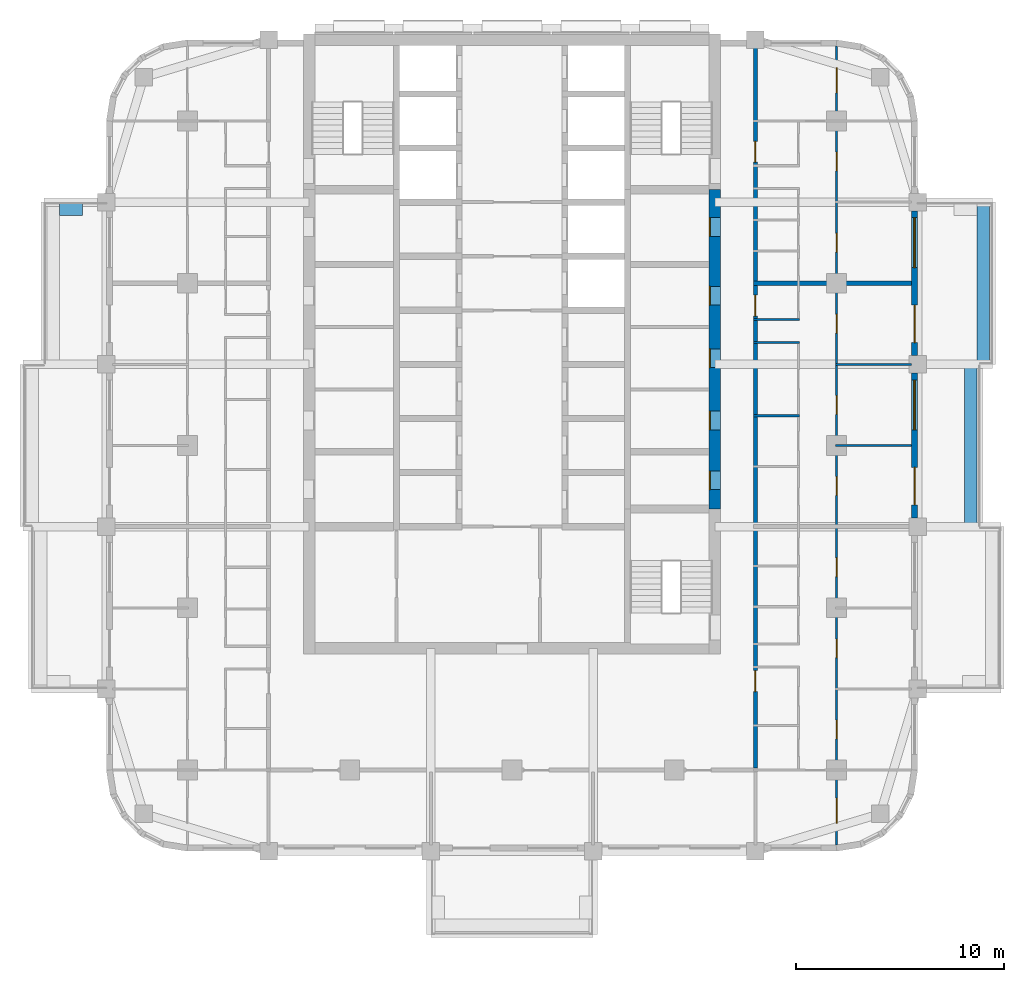
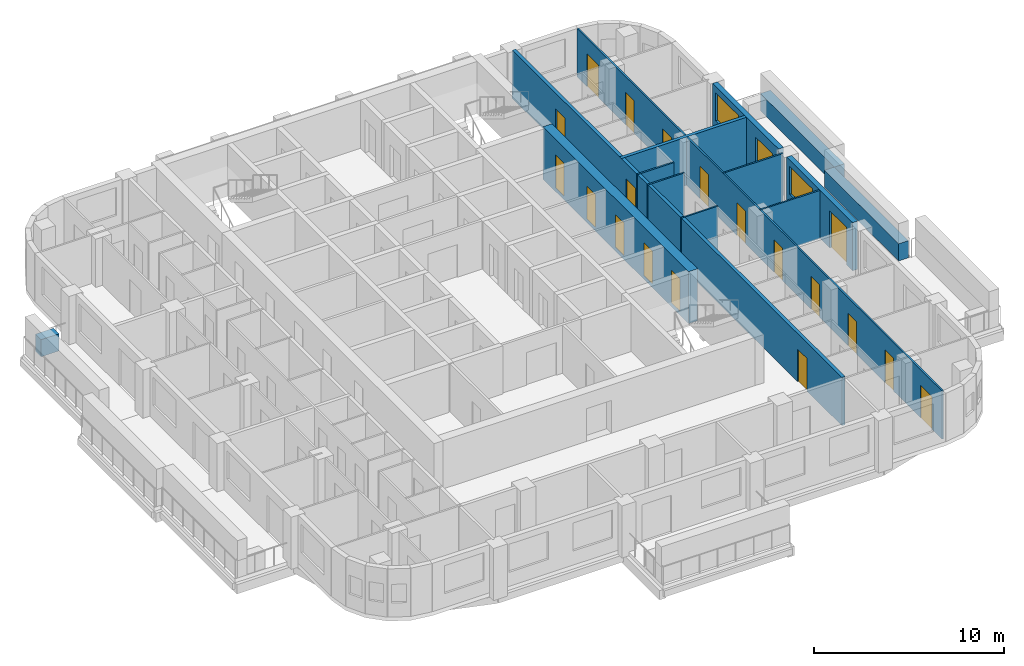
# One storey, part 7 of 14: 20 doors, 14 walls, 2 windows, 22 openings.
"""IFC4 building model written with IfcOpenShell, lengths in metres."""

from ifc_helpers import new_model, si_unit, direction, frame, frame_2d, origin, place, context, subcontext, project, spatial, rectangle, extrude, material, layer, layer_set, type_object, element, fill, save


model = new_model("IFC4")

# Units and contexts
model_context = context("Model", 3, precision=1e-05, world=origin(), true_north=direction((0.0, 1.0)))
body_context = subcontext(model_context, "Body", "Model", "MODEL_VIEW")
ifc_project = project(units=[si_unit("LENGTHUNIT", "METRE"), si_unit("AREAUNIT", "SQUARE_METRE"), si_unit("VOLUMEUNIT", "CUBIC_METRE"), si_unit("PLANEANGLEUNIT", "RADIAN"), si_unit("MASSUNIT", "GRAM", prefix="KILO")], contexts=[model_context])

# Site, building, storey
site_placement = place(None, origin())
site = spatial("IfcSite", under=ifc_project, at=site_placement, CompositionType="ELEMENT")
building_placement = place(site_placement, origin())
building = spatial("IfcBuilding", under=site, at=building_placement, Name="Ludao Terraces", CompositionType="ELEMENT")
storey_placement = place(building_placement, frame((0.0, 0.0, 140.699951171875)))
storey = spatial("IfcBuildingStorey", under=building, at=storey_placement, Name="L38", CompositionType="ELEMENT", Elevation=140.699951171875)

# Wall, openings, doors
ifc_material_1 = material(Name="Concrete C60", Category="concrete")
ifc_layer_1 = layer(ifc_material_1, 0.550048828125)
ifc_layer_set_1 = layer_set([ifc_layer_1], Name="Core wall 550 C60")
wall_type_1 = type_object("IfcWallType", Name="Core wall 550 C60", PredefinedType="SOLIDWALL", material=ifc_layer_set_1)
wall_1_placement = place(storey_placement, frame((94.75, 61.949951171875, -0.25), z_axis=(0.0, 0.0, 1.0), x_axis=(0.0, 1.0, 0.0)))
wall_1 = element("IfcWall", 1, at=wall_1_placement, inside=storey, type_object=wall_type_1, Name="Core wall L38 outer-E", PredefinedType="SOLIDWALL", context=body_context, shape_type="SweptSolid", body=[
    extrude(rectangle(XDim=15.35009765625, YDim=0.550048828125, at=frame_2d((7.675048828125, 0.0))), origin(), (0.0, 0.0, 1.0), 3.35009765625),
])
opening_1_placement = place(wall_1_placement, frame((0.925048828125, 0.0, 0.25)))
opening_1 = element("IfcOpeningElement", 2, at=opening_1_placement, cuts=wall_1, Name="Opening R13-038", PredefinedType="OPENING", context=body_context, shape_type="SweptSolid", body=[
    extrude(rectangle(XDim=0.89990234375, YDim=2.10009765625, at=frame_2d((0.449951171875, 1.050048828125))), frame((0.0, 0.28515625, 0.0), z_axis=(0.0, -1.0, 0.0), x_axis=(1.0, 0.0, 0.0)), (0.0, 0.0, 1.0), 0.570068359375),
])
opening_2_placement = place(wall_1_placement, frame((3.800048828125, 0.0, 0.25)))
opening_2 = element("IfcOpeningElement", 3, at=opening_2_placement, cuts=wall_1, Name="Opening R13-044", PredefinedType="OPENING", context=body_context, shape_type="SweptSolid", body=[
    extrude(rectangle(XDim=0.89990234375, YDim=2.10009765625, at=frame_2d((0.449951171875, 1.050048828125))), frame((0.0, 0.28515625, 0.0), z_axis=(0.0, -1.0, 0.0), x_axis=(1.0, 0.0, 0.0)), (0.0, 0.0, 1.0), 0.570068359375),
])
opening_3_placement = place(wall_1_placement, frame((6.800048828125, 0.0, 0.25)))
opening_3 = element("IfcOpeningElement", 4, at=opening_3_placement, cuts=wall_1, Name="Opening R13-052", PredefinedType="OPENING", context=body_context, shape_type="SweptSolid", body=[
    extrude(rectangle(XDim=0.89990234375, YDim=2.10009765625, at=frame_2d((0.449951171875, 1.050048828125))), frame((0.0, 0.28515625, 0.0), z_axis=(0.0, -1.0, 0.0), x_axis=(1.0, 0.0, 0.0)), (0.0, 0.0, 1.0), 0.570068359375),
])
opening_4_placement = place(wall_1_placement, frame((9.800048828125, 0.0, 0.25)))
opening_4 = element("IfcOpeningElement", 5, at=opening_4_placement, cuts=wall_1, Name="Opening R13-063", PredefinedType="OPENING", context=body_context, shape_type="SweptSolid", body=[
    extrude(rectangle(XDim=0.89990234375, YDim=2.10009765625, at=frame_2d((0.449951171875, 1.050048828125))), frame((0.0, 0.28515625, 0.0), z_axis=(0.0, -1.0, 0.0), x_axis=(1.0, 0.0, 0.0)), (0.0, 0.0, 1.0), 0.570068359375),
])
opening_5_placement = place(wall_1_placement, frame((13.10009765625, 0.0, 0.25)))
opening_5 = element("IfcOpeningElement", 6, at=opening_5_placement, cuts=wall_1, Name="Opening R13-074", PredefinedType="OPENING", context=body_context, shape_type="SweptSolid", body=[
    extrude(rectangle(XDim=0.89990234375, YDim=2.10009765625, at=frame_2d((0.449951171875, 1.050048828125))), frame((0.0, 0.28515625, 0.0), z_axis=(0.0, -1.0, 0.0), x_axis=(1.0, 0.0, 0.0)), (0.0, 0.0, 1.0), 0.570068359375),
])
ifc_material_2 = material(Name="Steel Q235", Category="steel")
door_type_1 = type_object("IfcDoorType", Name="INT Riser door 900", OperationType="SINGLE_SWING_LEFT", PredefinedType="DOOR", material=ifc_material_2)
door_1_placement = place(opening_1_placement, origin())
door_1 = element("IfcDoor", 7, at=door_1_placement, inside=storey, type_object=door_type_1, Name="DOOR 038", OperationType="SINGLE_SWING_LEFT", OverallHeight=2.10009765625, OverallWidth=0.89990234375, PredefinedType="DOOR", context=body_context, shape_type="SweptSolid", body=[
    extrude(rectangle(XDim=0.89990234375, YDim=2.10009765625, at=frame_2d((0.449951171875, 1.050048828125))), frame((0.0, 0.26025390625, 0.0), z_axis=(0.0, -1.0, 0.0), x_axis=(1.0, 0.0, 0.0)), (0.0, 0.0, 1.0), 0.050048828125),
])
fill(opening_1, door_1)
door_2_placement = place(opening_5_placement, origin())
door_2 = element("IfcDoor", 8, at=door_2_placement, inside=storey, type_object=door_type_1, Name="DOOR 074", OperationType="SINGLE_SWING_LEFT", OverallHeight=2.10009765625, OverallWidth=0.89990234375, PredefinedType="DOOR", context=body_context, shape_type="SweptSolid", body=[
    extrude(rectangle(XDim=0.89990234375, YDim=2.10009765625, at=frame_2d((0.449951171875, 1.050048828125))), frame((0.0, 0.26025390625, 0.0), z_axis=(0.0, -1.0, 0.0), x_axis=(1.0, 0.0, 0.0)), (0.0, 0.0, 1.0), 0.050048828125),
])
fill(opening_5, door_2)
ifc_material_3 = material(Name="Timber door leaf", Category="wood")
door_type_2 = type_object("IfcDoorType", Name="INT Room door 900", OperationType="SINGLE_SWING_LEFT", PredefinedType="DOOR", material=ifc_material_3)
door_3_placement = place(opening_2_placement, origin())
door_3 = element("IfcDoor", 9, at=door_3_placement, inside=storey, type_object=door_type_2, Name="DOOR 044", OperationType="SINGLE_SWING_LEFT", OverallHeight=2.10009765625, OverallWidth=0.89990234375, PredefinedType="DOOR", context=body_context, shape_type="SweptSolid", body=[
    extrude(rectangle(XDim=0.89990234375, YDim=2.10009765625, at=frame_2d((0.449951171875, 1.050048828125))), frame((0.0, 0.26025390625, 0.0), z_axis=(0.0, -1.0, 0.0), x_axis=(1.0, 0.0, 0.0)), (0.0, 0.0, 1.0), 0.050048828125),
])
fill(opening_2, door_3)
door_4_placement = place(opening_3_placement, origin())
door_4 = element("IfcDoor", 10, at=door_4_placement, inside=storey, type_object=door_type_2, Name="DOOR 052", OperationType="SINGLE_SWING_LEFT", OverallHeight=2.10009765625, OverallWidth=0.89990234375, PredefinedType="DOOR", context=body_context, shape_type="SweptSolid", body=[
    extrude(rectangle(XDim=0.89990234375, YDim=2.10009765625, at=frame_2d((0.449951171875, 1.050048828125))), frame((0.0, 0.26025390625, 0.0), z_axis=(0.0, -1.0, 0.0), x_axis=(1.0, 0.0, 0.0)), (0.0, 0.0, 1.0), 0.050048828125),
])
fill(opening_3, door_4)
door_5_placement = place(opening_4_placement, origin())
door_5 = element("IfcDoor", 11, at=door_5_placement, inside=storey, type_object=door_type_2, Name="DOOR 063", OperationType="SINGLE_SWING_RIGHT", OverallHeight=2.10009765625, OverallWidth=0.89990234375, PredefinedType="DOOR", context=body_context, shape_type="SweptSolid", body=[
    extrude(rectangle(XDim=0.89990234375, YDim=2.10009765625, at=frame_2d((0.449951171875, 1.050048828125))), frame((0.0, 0.26025390625, 0.0), z_axis=(0.0, -1.0, 0.0), x_axis=(1.0, 0.0, 0.0)), (0.0, 0.0, 1.0), 0.050048828125),
])
fill(opening_4, door_5)

# Walls
ifc_material_4 = material(Name="Concrete C40", Category="concrete")
ifc_layer_2 = layer(ifc_material_4, 0.60009765625)
ifc_layer_set_2 = layer_set([ifc_layer_2], Name="ENV Planter trough 600")
wall_type_2 = type_object("IfcWallType", Name="ENV Planter trough 600", PredefinedType="USERDEFINED", material=ifc_layer_set_2)
wall_2_placement = place(storey_placement, frame((107.050048828125, 61.10009765625, 0.0), z_axis=(0.0, 0.0, 1.0), x_axis=(0.0, 1.0, 0.0)))
element("IfcWall", 12, at=wall_2_placement, inside=storey, type_object=wall_type_2, Name="PL-L38-E2", ObjectType="PLANTER", PredefinedType="USERDEFINED", context=body_context, shape_type="SweptSolid", body=[
    extrude(rectangle(XDim=7.7998046875, YDim=0.60009765625, at=frame_2d((3.89990234375, 0.0))), origin(), (0.0, 0.0, 1.0), 1.10009765625),
])
wall_3_placement = place(storey_placement, frame((107.64990234375, 68.89990234375, 0.0), z_axis=(0.0, 0.0, 1.0), x_axis=(0.0, 1.0, 0.0)))
element("IfcWall", 13, at=wall_3_placement, inside=storey, type_object=wall_type_2, Name="PL-L38-E3", ObjectType="PLANTER", PredefinedType="USERDEFINED", context=body_context, shape_type="SweptSolid", body=[
    extrude(rectangle(XDim=7.800048828125, YDim=0.60009765625, at=frame_2d((3.89990234375, 0.0))), origin(), (0.0, 0.0, 1.0), 1.10009765625),
])
wall_4_placement = place(storey_placement, frame((63.25, 76.35009765625, 0.0), z_axis=(0.0, 0.0, 1.0), x_axis=(1.0, 0.0, 0.0)))
element("IfcWall", 14, at=wall_4_placement, inside=storey, type_object=wall_type_2, Name="PL-L38-W3-SB", ObjectType="PLANTER", PredefinedType="USERDEFINED", context=body_context, shape_type="SweptSolid", body=[
    extrude(rectangle(XDim=1.10009765625, YDim=0.60009765625, at=frame_2d((0.550048828125, 0.0))), origin(), (0.0, 0.0, 1.0), 1.10009765625),
])

# Wall, openings, door, window
ifc_material_5 = material(Name="Granite cladding", Category="masonry")
ifc_layer_3 = layer(ifc_material_5, 0.0400390625, Category="stone")
ifc_material_6 = material(Name="Mineral wool")
ifc_layer_4 = layer(ifc_material_6, 0.06005859375)
ifc_layer_5 = layer(ifc_material_4, 0.199951171875, Category="concrete")
ifc_layer_set_3 = layer_set([ifc_layer_3, ifc_layer_4, ifc_layer_5], Name="ENV Stone-clad wall 300")
wall_type_3 = type_object("IfcWallType", Name="ENV Stone-clad wall 300", PredefinedType="SOLIDWALL", material=ifc_layer_set_3)
wall_5_placement = place(storey_placement, frame((104.35009765625, 61.52490234375, 0.0), z_axis=(0.0, 0.0, 1.0), x_axis=(0.0, 1.0, 0.0)))
wall_5 = element("IfcWall", 15, at=wall_5_placement, inside=storey, type_object=wall_type_3, Name="EW-L38-E3", PredefinedType="SOLIDWALL", context=body_context, shape_type="SweptSolid", body=[
    extrude(rectangle(XDim=6.9501953125, YDim=0.300048828125, at=frame_2d((3.47509765625, 0.0))), origin(), (0.0, 0.0, 1.0), 3.10009765625),
])
opening_6_placement = place(wall_5_placement, frame((0.625, 0.0, 0.0)))
opening_6 = element("IfcOpeningElement", 16, at=opening_6_placement, cuts=wall_5, Name="Opening BD", PredefinedType="OPENING", context=body_context, shape_type="SweptSolid", body=[
    extrude(rectangle(XDim=1.800048828125, YDim=2.39990234375, at=frame_2d((0.89990234375, 1.199951171875))), frame((0.0, 0.16015625, 0.0), z_axis=(0.0, -1.0, 0.0), x_axis=(1.0, 0.0, 0.0)), (0.0, 0.0, 1.0), 0.320068359375),
])
opening_7_placement = place(wall_5_placement, frame((4.22509765625, 0.0, 0.89990234375)))
opening_7 = element("IfcOpeningElement", 17, at=opening_7_placement, cuts=wall_5, Name="Opening W1", PredefinedType="OPENING", context=body_context, shape_type="SweptSolid", body=[
    extrude(rectangle(XDim=2.39990234375, YDim=1.800048828125, at=frame_2d((1.199951171875, 0.89990234375))), frame((0.0, 0.16015625, 0.0), z_axis=(0.0, -1.0, 0.0), x_axis=(1.0, 0.0, 0.0)), (0.0, 0.0, 1.0), 0.320068359375),
])
ifc_material_7 = material(Name="Aluminium glazed door", Category="aluminium")
ifc_layer_6 = layer(ifc_material_7, 0.06005859375)
ifc_layer_set_4 = layer_set([ifc_layer_6], Name="ENV Balcony door BD 1800x2400")
door_type_3 = type_object("IfcDoorType", Name="ENV Balcony door BD 1800x2400", OperationType="DOUBLE_DOOR_SINGLE_SWING", PredefinedType="DOOR", material=ifc_layer_set_4)
door_6_placement = place(opening_6_placement, origin())
door_6 = element("IfcDoor", 18, at=door_6_placement, inside=storey, type_object=door_type_3, Name="BD-L38-E3-1", OperationType="DOUBLE_DOOR_SINGLE_SWING", OverallHeight=2.39990234375, OverallWidth=1.800048828125, PredefinedType="DOOR", context=body_context, shape_type="SweptSolid", body=[
    extrude(rectangle(XDim=1.800048828125, YDim=2.39990234375, at=frame_2d((0.89990234375, 1.199951171875))), frame((0.0, 0.02490234375, 0.0), z_axis=(0.0, -1.0, 0.0), x_axis=(1.0, 0.0, 0.0)), (0.0, 0.0, 1.0), 0.050048828125),
])
fill(opening_6, door_6)
ifc_material_8 = material(Name="Clear glass in aluminium frame", Category="aluminium")
ifc_layer_7 = layer(ifc_material_8, 0.06005859375)
ifc_layer_set_5 = layer_set([ifc_layer_7], Name="ENV Window W1 2400x1800")
window_type = type_object("IfcWindowType", Name="ENV Window W1 2400x1800", PartitioningType="DOUBLE_PANEL_VERTICAL", PredefinedType="WINDOW", material=ifc_layer_set_5)
window_1_placement = place(opening_7_placement, origin())
window_1 = element("IfcWindow", 19, at=window_1_placement, inside=storey, type_object=window_type, Name="W-L38-E3-2", OverallHeight=1.800048828125, OverallWidth=2.39990234375, PartitioningType="DOUBLE_PANEL_VERTICAL", PredefinedType="WINDOW", context=body_context, shape_type="SweptSolid", body=[
    extrude(rectangle(XDim=2.39990234375, YDim=1.800048828125, at=frame_2d((1.199951171875, 0.89990234375))), frame((0.0, 0.030029296875, 0.0), z_axis=(0.0, -1.0, 0.0), x_axis=(1.0, 0.0, 0.0)), (0.0, 0.0, 1.0), 0.06005859375),
])
fill(opening_7, window_1)

wall_6_placement = place(storey_placement, frame((104.35009765625, 69.324951171875, 0.0), z_axis=(0.0, 0.0, 1.0), x_axis=(0.0, 1.0, 0.0)))
wall_6 = element("IfcWall", 20, at=wall_6_placement, inside=storey, type_object=wall_type_3, Name="EW-L38-E4", PredefinedType="SOLIDWALL", context=body_context, shape_type="SweptSolid", body=[
    extrude(rectangle(XDim=6.949951171875, YDim=0.300048828125, at=frame_2d((3.47509765625, 0.0))), origin(), (0.0, 0.0, 1.0), 3.10009765625),
])
opening_8_placement = place(wall_6_placement, frame((0.625, 0.0, 0.0)))
opening_8 = element("IfcOpeningElement", 21, at=opening_8_placement, cuts=wall_6, Name="Opening BD", PredefinedType="OPENING", context=body_context, shape_type="SweptSolid", body=[
    extrude(rectangle(XDim=1.800048828125, YDim=2.39990234375, at=frame_2d((0.89990234375, 1.199951171875))), frame((0.0, 0.16015625, 0.0), z_axis=(0.0, -1.0, 0.0), x_axis=(1.0, 0.0, 0.0)), (0.0, 0.0, 1.0), 0.320068359375),
])
opening_9_placement = place(wall_6_placement, frame((4.22509765625, 0.0, 0.89990234375)))
opening_9 = element("IfcOpeningElement", 22, at=opening_9_placement, cuts=wall_6, Name="Opening W1", PredefinedType="OPENING", context=body_context, shape_type="SweptSolid", body=[
    extrude(rectangle(XDim=2.39990234375, YDim=1.800048828125, at=frame_2d((1.199951171875, 0.89990234375))), frame((0.0, 0.16015625, 0.0), z_axis=(0.0, -1.0, 0.0), x_axis=(1.0, 0.0, 0.0)), (0.0, 0.0, 1.0), 0.320068359375),
])
door_7_placement = place(opening_8_placement, origin())
door_7 = element("IfcDoor", 23, at=door_7_placement, inside=storey, type_object=door_type_3, Name="BD-L38-E4-1", OperationType="DOUBLE_DOOR_SINGLE_SWING", OverallHeight=2.39990234375, OverallWidth=1.800048828125, PredefinedType="DOOR", context=body_context, shape_type="SweptSolid", body=[
    extrude(rectangle(XDim=1.800048828125, YDim=2.39990234375, at=frame_2d((0.89990234375, 1.199951171875))), frame((0.0, 0.02490234375, 0.0), z_axis=(0.0, -1.0, 0.0), x_axis=(1.0, 0.0, 0.0)), (0.0, 0.0, 1.0), 0.050048828125),
])
fill(opening_8, door_7)
window_2_placement = place(opening_9_placement, origin())
window_2 = element("IfcWindow", 24, at=window_2_placement, inside=storey, type_object=window_type, Name="W-L38-E4-2", OverallHeight=1.800048828125, OverallWidth=2.39990234375, PartitioningType="DOUBLE_PANEL_VERTICAL", PredefinedType="WINDOW", context=body_context, shape_type="SweptSolid", body=[
    extrude(rectangle(XDim=2.39990234375, YDim=1.800048828125, at=frame_2d((1.199951171875, 0.89990234375))), frame((0.0, 0.030029296875, 0.0), z_axis=(0.0, -1.0, 0.0), x_axis=(1.0, 0.0, 0.0)), (0.0, 0.0, 1.0), 0.06005859375),
])
fill(opening_9, window_2)

# Wall, openings, doors
ifc_material_9 = material(Name="Autoclaved aerated concrete block B06 A3.5", Category="concrete")
ifc_layer_8 = layer(ifc_material_9, 0.199951171875)
ifc_layer_set_6 = layer_set([ifc_layer_8], Name="INT Entrance wall 200")
wall_type_4 = type_object("IfcWallType", Name="INT Entrance wall 200", PredefinedType="PARTITIONING", material=ifc_layer_set_6)
wall_7_placement = place(storey_placement, frame((96.699951171875, 49.5, 0.0), z_axis=(0.0, 0.0, 1.0), x_axis=(0.0, 1.0, 0.0)))
wall_7 = element("IfcWall", 25, at=wall_7_placement, inside=storey, type_object=wall_type_4, Name="PW-L38-PW063", PredefinedType="PARTITIONING", context=body_context, shape_type="SweptSolid", body=[
    extrude(rectangle(XDim=34.7001953125, YDim=0.199951171875, at=frame_2d((17.35009765625, 0.0))), origin(), (0.0, 0.0, 1.0), 3.10009765625),
])
opening_10_placement = place(wall_7_placement, frame((3.675048828125, 0.0, 0.0)))
opening_10 = element("IfcOpeningElement", 26, at=opening_10_placement, cuts=wall_7, Name="Opening R13-015", PredefinedType="OPENING", context=body_context, shape_type="SweptSolid", body=[
    extrude(rectangle(XDim=1.0, YDim=2.10009765625, at=frame_2d((0.5, 1.050048828125))), frame((0.0, 0.10986328125, 0.0), z_axis=(0.0, -1.0, 0.0), x_axis=(1.0, 0.0, 0.0)), (0.0, 0.0, 1.0), 0.219970703125),
])
opening_11_placement = place(wall_7_placement, frame((21.72509765625, 0.0, 0.0)))
opening_11 = element("IfcOpeningElement", 27, at=opening_11_placement, cuts=wall_7, Name="Opening R13-058", PredefinedType="OPENING", context=body_context, shape_type="SweptSolid", body=[
    extrude(rectangle(XDim=1.0, YDim=2.10009765625, at=frame_2d((0.5, 1.050048828125))), frame((0.0, 0.10986328125, 0.0), z_axis=(0.0, -1.0, 0.0), x_axis=(1.0, 0.0, 0.0)), (0.0, 0.0, 1.0), 0.219970703125),
])
opening_12_placement = place(wall_7_placement, frame((29.125, 0.0, 0.0)))
opening_12 = element("IfcOpeningElement", 28, at=opening_12_placement, cuts=wall_7, Name="Opening R13-085", PredefinedType="OPENING", context=body_context, shape_type="SweptSolid", body=[
    extrude(rectangle(XDim=1.0, YDim=2.10009765625, at=frame_2d((0.5, 1.050048828125))), frame((0.0, 0.10986328125, 0.0), z_axis=(0.0, -1.0, 0.0), x_axis=(1.0, 0.0, 0.0)), (0.0, 0.0, 1.0), 0.219970703125),
])
door_type_4 = type_object("IfcDoorType", Name="INT Flat entrance door 1000", OperationType="SINGLE_SWING_LEFT", PredefinedType="DOOR", material=ifc_material_2)
door_8_placement = place(opening_10_placement, origin())
door_8 = element("IfcDoor", 29, at=door_8_placement, inside=storey, type_object=door_type_4, Name="DOOR 015", OperationType="SINGLE_SWING_RIGHT", OverallHeight=2.10009765625, OverallWidth=1.0, PredefinedType="DOOR", context=body_context, shape_type="SweptSolid", body=[
    extrude(rectangle(XDim=1.0, YDim=2.10009765625, at=frame_2d((0.5, 1.050048828125))), frame((0.0, 0.02490234375, 0.0), z_axis=(0.0, -1.0, 0.0), x_axis=(1.0, 0.0, 0.0)), (0.0, 0.0, 1.0), 0.050048828125),
])
fill(opening_10, door_8)
door_9_placement = place(opening_11_placement, origin())
door_9 = element("IfcDoor", 30, at=door_9_placement, inside=storey, type_object=door_type_4, Name="DOOR 058", OperationType="SINGLE_SWING_LEFT", OverallHeight=2.10009765625, OverallWidth=1.0, PredefinedType="DOOR", context=body_context, shape_type="SweptSolid", body=[
    extrude(rectangle(XDim=1.0, YDim=2.10009765625, at=frame_2d((0.5, 1.050048828125))), frame((0.0, 0.02490234375, 0.0), z_axis=(0.0, -1.0, 0.0), x_axis=(1.0, 0.0, 0.0)), (0.0, 0.0, 1.0), 0.050048828125),
])
fill(opening_11, door_9)
door_10_placement = place(opening_12_placement, origin())
door_10 = element("IfcDoor", 31, at=door_10_placement, inside=storey, type_object=door_type_4, Name="DOOR 085", OperationType="SINGLE_SWING_LEFT", OverallHeight=2.10009765625, OverallWidth=1.0, PredefinedType="DOOR", context=body_context, shape_type="SweptSolid", body=[
    extrude(rectangle(XDim=1.0, YDim=2.10009765625, at=frame_2d((0.5, 1.050048828125))), frame((0.0, 0.02490234375, 0.0), z_axis=(0.0, -1.0, 0.0), x_axis=(1.0, 0.0, 0.0)), (0.0, 0.0, 1.0), 0.050048828125),
])
fill(opening_12, door_10)

# Walls
ifc_material_10 = material(Name="Gypsum plasterboard", Category="gypsum")
ifc_layer_9 = layer(ifc_material_10, 0.012451171875, Category="gypsum")
ifc_layer_10 = layer(ifc_material_6, 0.06005859375, Name="insulation")
ifc_layer_11 = layer(ifc_material_2, 0.014892578125, Name="stud")
ifc_layer_12 = layer(ifc_material_10, 0.012451171875, Category="gypsum")
ifc_layer_set_7 = layer_set([ifc_layer_9, ifc_layer_10, ifc_layer_11, ifc_layer_12], Name="INT Partition 100")
wall_type_5 = type_object("IfcWallType", Name="INT Partition 100", PredefinedType="PARTITIONING", material=ifc_layer_set_7)
wall_8_placement = place(storey_placement, frame((100.550048828125, 65.0, 0.0), z_axis=(0.0, 0.0, 1.0), x_axis=(1.0, 0.0, 0.0)))
element("IfcWall", 32, at=wall_8_placement, inside=storey, type_object=wall_type_5, Name="PW-L38-PW023", PredefinedType="PARTITIONING", context=body_context, shape_type="SweptSolid", body=[
    extrude(rectangle(XDim=3.650146484375, YDim=0.10009765625, at=frame_2d((1.8251953125, 0.0))), origin(), (0.0, 0.0, 1.0), 3.10009765625),
])
wall_9_placement = place(storey_placement, frame((96.60009765625, 66.429931640625, 0.0), z_axis=(0.0, 0.0, 1.0), x_axis=(1.0, 0.0, 0.0)))
element("IfcWall", 33, at=wall_9_placement, inside=storey, type_object=wall_type_5, Name="PW-L38-PW024", PredefinedType="PARTITIONING", context=body_context, shape_type="SweptSolid", body=[
    extrude(rectangle(XDim=2.219970703125, YDim=0.10009765625, at=frame_2d((1.10986328125, 0.0))), origin(), (0.0, 0.0, 1.0), 3.10009765625),
])
wall_10_placement = place(storey_placement, frame((100.550048828125, 68.89990234375, 0.0), z_axis=(0.0, 0.0, 1.0), x_axis=(1.0, 0.0, 0.0)))
element("IfcWall", 34, at=wall_10_placement, inside=storey, type_object=wall_type_5, Name="PW-L38-PW029", PredefinedType="PARTITIONING", context=body_context, shape_type="SweptSolid", body=[
    extrude(rectangle(XDim=3.650146484375, YDim=0.10009765625, at=frame_2d((1.8251953125, 0.0))), origin(), (0.0, 0.0, 1.0), 3.10009765625),
])
for number, where, z_axis, x_axis, name in (
    (35, (96.60009765625, 69.949951171875, 0.0), (0.0, 0.0, 1.0), (1.0, 0.0, 0.0), "PW-L38-PW030"),
    (36, (96.60009765625, 71.050048828125, 0.0), (0.0, 0.0, 1.0), (1.0, 0.0, 0.0), "PW-L38-PW034"),
):
    element("IfcWall", number, at=place(storey_placement, frame(where, z_axis=z_axis, x_axis=x_axis)), inside=storey, type_object=wall_type_5, Name=name, PredefinedType="PARTITIONING", context=body_context, shape_type="SweptSolid", body=[
        extrude(rectangle(XDim=2.219970703125, YDim=0.10009765625, at=frame_2d((1.10986328125, 0.0))), origin(), (0.0, 0.0, 1.0), 3.10009765625),
    ])

# Wall, openings, doors
wall_11_placement = place(storey_placement, frame((100.60009765625, 45.800048828125, 0.0), z_axis=(0.0, 0.0, 1.0), x_axis=(0.0, 1.0, 0.0)))
wall_11 = element("IfcWall", 37, at=wall_11_placement, inside=storey, type_object=wall_type_5, Name="PW-L38-PW068", PredefinedType="PARTITIONING", context=body_context, shape_type="SweptSolid", body=[
    extrude(rectangle(XDim=38.400146484375, YDim=0.10009765625, at=frame_2d((19.2001953125, 0.0))), origin(), (0.0, 0.0, 1.0), 3.10009765625),
])
opening_13_placement = place(wall_11_placement, frame((1.050048828125, 0.0, 0.0)))
opening_13 = element("IfcOpeningElement", 38, at=opening_13_placement, cuts=wall_11, Name="Opening R13-002", PredefinedType="OPENING", context=body_context, shape_type="SweptSolid", body=[
    extrude(rectangle(XDim=1.199951171875, YDim=2.10009765625, at=frame_2d((0.60009765625, 1.050048828125))), frame((0.0, 0.06005859375, 0.0), z_axis=(0.0, -1.0, 0.0), x_axis=(1.0, 0.0, 0.0)), (0.0, 0.0, 1.0), 0.1201171875),
])
opening_14_placement = place(wall_11_placement, frame((5.10009765625, 0.0, 0.0)))
opening_14 = element("IfcOpeningElement", 39, at=opening_14_placement, cuts=wall_11, Name="Opening R13-011", PredefinedType="OPENING", context=body_context, shape_type="SweptSolid", body=[
    extrude(rectangle(XDim=0.89990234375, YDim=2.10009765625, at=frame_2d((0.449951171875, 1.050048828125))), frame((0.0, 0.06005859375, 0.0), z_axis=(0.0, -1.0, 0.0), x_axis=(1.0, 0.0, 0.0)), (0.0, 0.0, 1.0), 0.1201171875),
])
opening_15_placement = place(wall_11_placement, frame((9.0, 0.0, 0.0)))
opening_15 = element("IfcOpeningElement", 40, at=opening_15_placement, cuts=wall_11, Name="Opening R13-018", PredefinedType="OPENING", context=body_context, shape_type="SweptSolid", body=[
    extrude(rectangle(XDim=0.89990234375, YDim=2.10009765625, at=frame_2d((0.449951171875, 1.050048828125))), frame((0.0, 0.06005859375, 0.0), z_axis=(0.0, -1.0, 0.0), x_axis=(1.0, 0.0, 0.0)), (0.0, 0.0, 1.0), 0.1201171875),
])
opening_16_placement = place(wall_11_placement, frame((12.89990234375, 0.0, 0.0)))
opening_16 = element("IfcOpeningElement", 41, at=opening_16_placement, cuts=wall_11, Name="Opening R13-027", PredefinedType="OPENING", context=body_context, shape_type="SweptSolid", body=[
    extrude(rectangle(XDim=0.89990234375, YDim=2.10009765625, at=frame_2d((0.449951171875, 1.050048828125))), frame((0.0, 0.06005859375, 0.0), z_axis=(0.0, -1.0, 0.0), x_axis=(1.0, 0.0, 0.0)), (0.0, 0.0, 1.0), 0.1201171875),
])
opening_17_placement = place(wall_11_placement, frame((16.800048828125, 0.0, 0.0)))
opening_17 = element("IfcOpeningElement", 42, at=opening_17_placement, cuts=wall_11, Name="Opening R13-037", PredefinedType="OPENING", context=body_context, shape_type="SweptSolid", body=[
    extrude(rectangle(XDim=0.89990234375, YDim=2.10009765625, at=frame_2d((0.449951171875, 1.050048828125))), frame((0.0, 0.06005859375, 0.0), z_axis=(0.0, -1.0, 0.0), x_axis=(1.0, 0.0, 0.0)), (0.0, 0.0, 1.0), 0.1201171875),
])
opening_18_placement = place(wall_11_placement, frame((20.699951171875, 0.0, 0.0)))
opening_18 = element("IfcOpeningElement", 43, at=opening_18_placement, cuts=wall_11, Name="Opening R13-046", PredefinedType="OPENING", context=body_context, shape_type="SweptSolid", body=[
    extrude(rectangle(XDim=0.89990234375, YDim=2.10009765625, at=frame_2d((0.449951171875, 1.050048828125))), frame((0.0, 0.06005859375, 0.0), z_axis=(0.0, -1.0, 0.0), x_axis=(1.0, 0.0, 0.0)), (0.0, 0.0, 1.0), 0.1201171875),
])
opening_19_placement = place(wall_11_placement, frame((24.60009765625, 0.0, 0.0)))
opening_19 = element("IfcOpeningElement", 44, at=opening_19_placement, cuts=wall_11, Name="Opening R13-056", PredefinedType="OPENING", context=body_context, shape_type="SweptSolid", body=[
    extrude(rectangle(XDim=0.89990234375, YDim=2.10009765625, at=frame_2d((0.449951171875, 1.050048828125))), frame((0.0, 0.06005859375, 0.0), z_axis=(0.0, -1.0, 0.0), x_axis=(1.0, 0.0, 0.0)), (0.0, 0.0, 1.0), 0.1201171875),
])
opening_20_placement = place(wall_11_placement, frame((28.5, 0.0, 0.0)))
opening_20 = element("IfcOpeningElement", 45, at=opening_20_placement, cuts=wall_11, Name="Opening R13-069", PredefinedType="OPENING", context=body_context, shape_type="SweptSolid", body=[
    extrude(rectangle(XDim=0.89990234375, YDim=2.10009765625, at=frame_2d((0.449951171875, 1.050048828125))), frame((0.0, 0.06005859375, 0.0), z_axis=(0.0, -1.0, 0.0), x_axis=(1.0, 0.0, 0.0)), (0.0, 0.0, 1.0), 0.1201171875),
])
opening_21_placement = place(wall_11_placement, frame((32.39990234375, 0.0, 0.0)))
opening_21 = element("IfcOpeningElement", 46, at=opening_21_placement, cuts=wall_11, Name="Opening R13-083", PredefinedType="OPENING", context=body_context, shape_type="SweptSolid", body=[
    extrude(rectangle(XDim=0.89990234375, YDim=2.10009765625, at=frame_2d((0.449951171875, 1.050048828125))), frame((0.0, 0.06005859375, 0.0), z_axis=(0.0, -1.0, 0.0), x_axis=(1.0, 0.0, 0.0)), (0.0, 0.0, 1.0), 0.1201171875),
])
opening_22_placement = place(wall_11_placement, frame((36.14990234375, 0.0, 0.0)))
opening_22 = element("IfcOpeningElement", 47, at=opening_22_placement, cuts=wall_11, Name="Opening R13-093", PredefinedType="OPENING", context=body_context, shape_type="SweptSolid", body=[
    extrude(rectangle(XDim=1.199951171875, YDim=2.10009765625, at=frame_2d((0.60009765625, 1.050048828125))), frame((0.0, 0.06005859375, 0.0), z_axis=(0.0, -1.0, 0.0), x_axis=(1.0, 0.0, 0.0)), (0.0, 0.0, 1.0), 0.1201171875),
])
door_type_5 = type_object("IfcDoorType", Name="INT Double door 1200", OperationType="DOUBLE_DOOR_SINGLE_SWING", PredefinedType="DOOR", material=ifc_material_3)
door_11_placement = place(opening_13_placement, origin())
door_11 = element("IfcDoor", 48, at=door_11_placement, inside=storey, type_object=door_type_5, Name="DOOR 002", OperationType="DOUBLE_DOOR_SINGLE_SWING", OverallHeight=2.10009765625, OverallWidth=1.199951171875, PredefinedType="DOOR", context=body_context, shape_type="SweptSolid", body=[
    extrude(rectangle(XDim=1.199951171875, YDim=2.10009765625, at=frame_2d((0.60009765625, 1.050048828125))), frame((0.0, 0.02490234375, 0.0), z_axis=(0.0, -1.0, 0.0), x_axis=(1.0, 0.0, 0.0)), (0.0, 0.0, 1.0), 0.050048828125),
])
fill(opening_13, door_11)
door_12_placement = place(opening_22_placement, origin())
door_12 = element("IfcDoor", 49, at=door_12_placement, inside=storey, type_object=door_type_5, Name="DOOR 093", OperationType="DOUBLE_DOOR_SINGLE_SWING", OverallHeight=2.10009765625, OverallWidth=1.199951171875, PredefinedType="DOOR", context=body_context, shape_type="SweptSolid", body=[
    extrude(rectangle(XDim=1.199951171875, YDim=2.10009765625, at=frame_2d((0.60009765625, 1.050048828125))), frame((0.0, 0.02490234375, 0.0), z_axis=(0.0, -1.0, 0.0), x_axis=(1.0, 0.0, 0.0)), (0.0, 0.0, 1.0), 0.050048828125),
])
fill(opening_22, door_12)
door_13_placement = place(opening_14_placement, origin())
door_13 = element("IfcDoor", 50, at=door_13_placement, inside=storey, type_object=door_type_2, Name="DOOR 011", OperationType="SINGLE_SWING_LEFT", OverallHeight=2.10009765625, OverallWidth=0.89990234375, PredefinedType="DOOR", context=body_context, shape_type="SweptSolid", body=[
    extrude(rectangle(XDim=0.89990234375, YDim=2.10009765625, at=frame_2d((0.449951171875, 1.050048828125))), frame((0.0, 0.02490234375, 0.0), z_axis=(0.0, -1.0, 0.0), x_axis=(1.0, 0.0, 0.0)), (0.0, 0.0, 1.0), 0.050048828125),
])
fill(opening_14, door_13)
door_14_placement = place(opening_15_placement, origin())
door_14 = element("IfcDoor", 51, at=door_14_placement, inside=storey, type_object=door_type_2, Name="DOOR 018", OperationType="SINGLE_SWING_RIGHT", OverallHeight=2.10009765625, OverallWidth=0.89990234375, PredefinedType="DOOR", context=body_context, shape_type="SweptSolid", body=[
    extrude(rectangle(XDim=0.89990234375, YDim=2.10009765625, at=frame_2d((0.449951171875, 1.050048828125))), frame((0.0, 0.02490234375, 0.0), z_axis=(0.0, -1.0, 0.0), x_axis=(1.0, 0.0, 0.0)), (0.0, 0.0, 1.0), 0.050048828125),
])
fill(opening_15, door_14)
door_15_placement = place(opening_16_placement, origin())
door_15 = element("IfcDoor", 52, at=door_15_placement, inside=storey, type_object=door_type_2, Name="DOOR 027", OperationType="SINGLE_SWING_RIGHT", OverallHeight=2.10009765625, OverallWidth=0.89990234375, PredefinedType="DOOR", context=body_context, shape_type="SweptSolid", body=[
    extrude(rectangle(XDim=0.89990234375, YDim=2.10009765625, at=frame_2d((0.449951171875, 1.050048828125))), frame((0.0, 0.02490234375, 0.0), z_axis=(0.0, -1.0, 0.0), x_axis=(1.0, 0.0, 0.0)), (0.0, 0.0, 1.0), 0.050048828125),
])
fill(opening_16, door_15)
door_16_placement = place(opening_17_placement, origin())
door_16 = element("IfcDoor", 53, at=door_16_placement, inside=storey, type_object=door_type_2, Name="DOOR 037", OperationType="SINGLE_SWING_RIGHT", OverallHeight=2.10009765625, OverallWidth=0.89990234375, PredefinedType="DOOR", context=body_context, shape_type="SweptSolid", body=[
    extrude(rectangle(XDim=0.89990234375, YDim=2.10009765625, at=frame_2d((0.449951171875, 1.050048828125))), frame((0.0, 0.02490234375, 0.0), z_axis=(0.0, -1.0, 0.0), x_axis=(1.0, 0.0, 0.0)), (0.0, 0.0, 1.0), 0.050048828125),
])
fill(opening_17, door_16)
door_17_placement = place(opening_18_placement, origin())
door_17 = element("IfcDoor", 54, at=door_17_placement, inside=storey, type_object=door_type_2, Name="DOOR 046", OperationType="SINGLE_SWING_RIGHT", OverallHeight=2.10009765625, OverallWidth=0.89990234375, PredefinedType="DOOR", context=body_context, shape_type="SweptSolid", body=[
    extrude(rectangle(XDim=0.89990234375, YDim=2.10009765625, at=frame_2d((0.449951171875, 1.050048828125))), frame((0.0, 0.02490234375, 0.0), z_axis=(0.0, -1.0, 0.0), x_axis=(1.0, 0.0, 0.0)), (0.0, 0.0, 1.0), 0.050048828125),
])
fill(opening_18, door_17)
door_18_placement = place(opening_19_placement, origin())
door_18 = element("IfcDoor", 55, at=door_18_placement, inside=storey, type_object=door_type_2, Name="DOOR 056", OperationType="SINGLE_SWING_LEFT", OverallHeight=2.10009765625, OverallWidth=0.89990234375, PredefinedType="DOOR", context=body_context, shape_type="SweptSolid", body=[
    extrude(rectangle(XDim=0.89990234375, YDim=2.10009765625, at=frame_2d((0.449951171875, 1.050048828125))), frame((0.0, 0.02490234375, 0.0), z_axis=(0.0, -1.0, 0.0), x_axis=(1.0, 0.0, 0.0)), (0.0, 0.0, 1.0), 0.050048828125),
])
fill(opening_19, door_18)
door_19_placement = place(opening_20_placement, origin())
door_19 = element("IfcDoor", 56, at=door_19_placement, inside=storey, type_object=door_type_2, Name="DOOR 069", OperationType="SINGLE_SWING_RIGHT", OverallHeight=2.10009765625, OverallWidth=0.89990234375, PredefinedType="DOOR", context=body_context, shape_type="SweptSolid", body=[
    extrude(rectangle(XDim=0.89990234375, YDim=2.10009765625, at=frame_2d((0.449951171875, 1.050048828125))), frame((0.0, 0.02490234375, 0.0), z_axis=(0.0, -1.0, 0.0), x_axis=(1.0, 0.0, 0.0)), (0.0, 0.0, 1.0), 0.050048828125),
])
fill(opening_20, door_19)
door_20_placement = place(opening_21_placement, origin())
door_20 = element("IfcDoor", 57, at=door_20_placement, inside=storey, type_object=door_type_2, Name="DOOR 083", OperationType="SINGLE_SWING_RIGHT", OverallHeight=2.10009765625, OverallWidth=0.89990234375, PredefinedType="DOOR", context=body_context, shape_type="SweptSolid", body=[
    extrude(rectangle(XDim=0.89990234375, YDim=2.10009765625, at=frame_2d((0.449951171875, 1.050048828125))), frame((0.0, 0.02490234375, 0.0), z_axis=(0.0, -1.0, 0.0), x_axis=(1.0, 0.0, 0.0)), (0.0, 0.0, 1.0), 0.050048828125),
])
fill(opening_21, door_20)

# Wall
ifc_layer_13 = layer(ifc_material_9, 0.199951171875)
ifc_layer_set_8 = layer_set([ifc_layer_13], Name="INT Party wall 200")
wall_type_6 = type_object("IfcWallType", Name="INT Party wall 200", PredefinedType="PARTITIONING", material=ifc_layer_set_8)
wall_12_placement = place(storey_placement, frame((96.60009765625, 72.800048828125, 0.0), z_axis=(0.0, 0.0, 1.0), x_axis=(1.0, 0.0, 0.0)))
element("IfcWall", 58, at=wall_12_placement, inside=storey, type_object=wall_type_6, Name="PW-L38-PW038", PredefinedType="PARTITIONING", context=body_context, shape_type="SweptSolid", body=[
    extrude(rectangle(XDim=7.60009765625, YDim=0.199951171875, at=frame_2d((3.800048828125, 0.0))), origin(), (0.0, 0.0, 1.0), 3.10009765625),
])

save(model, "model.ifc")
